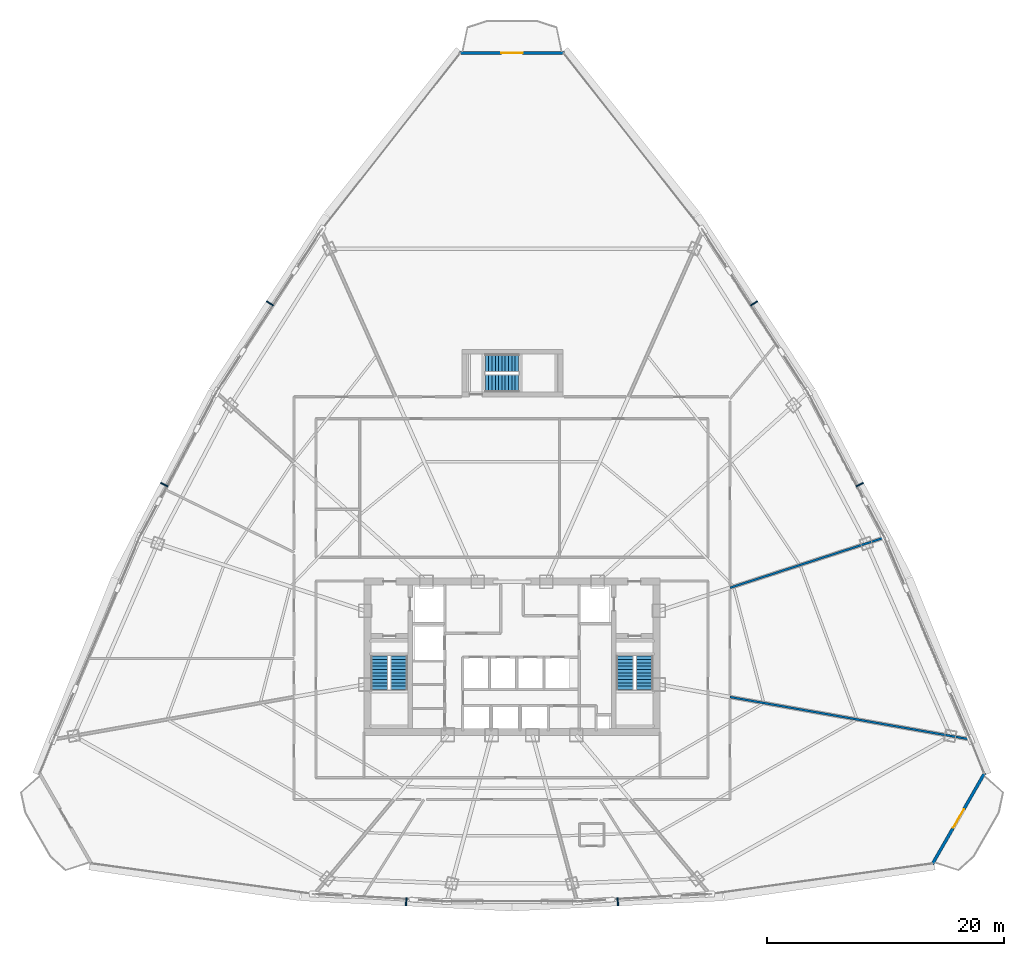
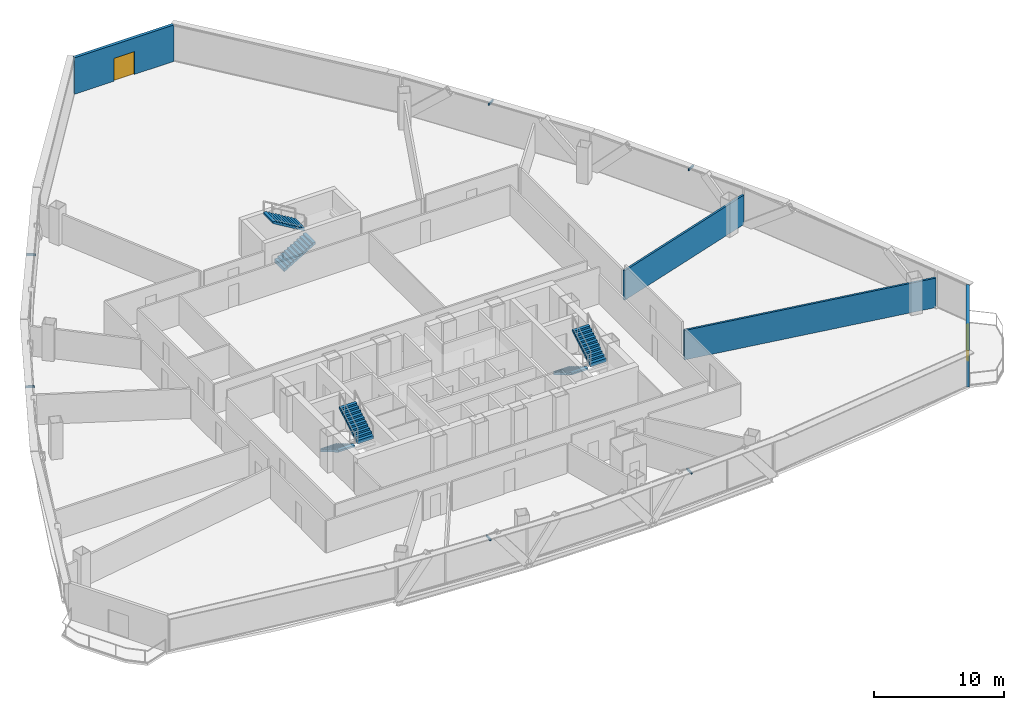
# One storey, part 35 of 39: 6 discrete accessories, 6 stair flights, 4 walls, 2 doors, 2 openings, 3 elements without a shape of their own.
"""IFC4 building model written with IfcOpenShell, lengths in metres."""

from ifc_helpers import new_model, si_unit, direction, frame, frame_2d, origin, origin_with_axes, origin_2d, place, context, subcontext, project, spatial, polyline, rectangle, outline, extrude, source, transform, mapped, material, layer, layer_set, type_object, element, fill, aggregate, save


model = new_model("IFC4")

# Units and contexts
model_context = context("Model", 3, precision=1e-05, world=origin(), true_north=direction((0.0, 1.0)))
body_context = subcontext(model_context, "Body", "Model", "MODEL_VIEW")
ifc_project = project(units=[si_unit("LENGTHUNIT", "METRE"), si_unit("AREAUNIT", "SQUARE_METRE"), si_unit("VOLUMEUNIT", "CUBIC_METRE"), si_unit("PLANEANGLEUNIT", "RADIAN"), si_unit("MASSUNIT", "GRAM", prefix="KILO"), si_unit("THERMODYNAMICTEMPERATUREUNIT", "KELVIN"), si_unit("POWERUNIT", "WATT")], contexts=[model_context])

# Site, building, storey
site_placement = place(None, origin())
site = spatial("IfcSite", under=ifc_project, at=site_placement, CompositionType="ELEMENT")
building_placement = place(site_placement, origin())
building = spatial("IfcBuilding", under=site, at=building_placement, Name="Yunzhuo Pagoda Commons", CompositionType="ELEMENT")
storey_placement = place(building_placement, frame((0.0, 0.0, 144.550048828125)))
storey = spatial("IfcBuildingStorey", under=building, at=storey_placement, Name="L36", CompositionType="ELEMENT", Elevation=144.550048828125)

# Wall, opening, door
ifc_material_1 = material(Name="Precast concrete C40", Category="concrete")
ifc_layer_1 = layer(ifc_material_1, 0.260009765625)
ifc_layer_set_1 = layer_set([ifc_layer_1], Name="Precast concrete C40")
wall_type_1 = type_object("IfcWallType", Name="W-BAL1 Corner Balcony Threshold Wall 260", PredefinedType="STANDARD", material=ifc_layer_set_1)
wall_1_placement = place(storey_placement, frame((83.48779296875, 16.356201171875, 0.0), z_axis=(0.0, 0.0, 1.0), x_axis=(0.497915888941, 0.867225326856, 0.0)))
wall_1 = element("IfcWall", 1, at=wall_1_placement, inside=storey, type_object=wall_type_1, Name="L36 corner balcony wall V2", PredefinedType="STANDARD", context=body_context, shape_type="SweptSolid", body=[
    extrude(rectangle(XDim=8.857666015625, YDim=0.260009765625, at=frame_2d((4.4287109375, 0.0))), origin(), (0.0, 0.0, 1.0), 3.419921875),
])
opening_1_placement = place(wall_1_placement, frame((3.52880859375, 0.0, 0.0)))
opening_1 = element("IfcOpeningElement", 2, at=opening_1_placement, cuts=wall_1, Name="Opening D-BAL1", PredefinedType="OPENING", context=body_context, shape_type="SweptSolid", body=[
    extrude(rectangle(XDim=1.800048828125, YDim=2.14990234375, at=frame_2d((0.89990234375, 1.074951171875))), frame((0.0, 0.14013671875, 0.0), z_axis=(0.0, -1.0, 0.0), x_axis=(1.0, 0.0, 0.0)), (0.0, 0.0, 1.0), 0.280029296875),
])
ifc_material_2 = material(Name="Anodized aluminium frame and tempered glazed leaf", Category="aluminium")
door_type = type_object("IfcDoorType", Name="D-BAL1 Corner Balcony Sliding Glazed Door 1800x2150", OperationType="DOUBLE_DOOR_SLIDING", PredefinedType="DOOR", material=ifc_material_2)
shared_shape_1 = source(origin(), body_context, "Body", "SweptSolid", [
    extrude(rectangle(XDim=1.800048828125, YDim=2.14990234375, at=frame_2d((0.89990234375, 1.074951171875))), frame((0.0, 0.02490234375, 0.0), z_axis=(0.0, -1.0, 0.0), x_axis=(1.0, 0.0, 0.0)), (0.0, 0.0, 1.0), 0.050048828125),
])
door_1_placement = place(opening_1_placement, origin_with_axes())
door_1 = element("IfcDoor", 3, at=door_1_placement, inside=storey, type_object=door_type, Name="L36 corner balcony sliding door V2", OperationType="DOUBLE_DOOR_SLIDING", OverallHeight=2.14990234375, OverallWidth=1.800048828125, PredefinedType="DOOR", context=body_context, shape_type="MappedRepresentation", body=[
    mapped(shared_shape_1, transform((0.0, 0.0, 0.0), scale=1.0)),
])
fill(opening_1, door_1)

wall_2_placement = place(storey_placement, frame((52.4111328125, 84.828369140625, 0.0), z_axis=(0.0, 0.0, 1.0), x_axis=(-1.0, 0.0, 0.0)))
wall_2 = element("IfcWall", 4, at=wall_2_placement, inside=storey, type_object=wall_type_1, Name="L36 corner balcony wall V3", PredefinedType="STANDARD", context=body_context, shape_type="SweptSolid", body=[
    extrude(rectangle(XDim=8.822265625, YDim=0.260009765625, at=frame_2d((4.4111328125, 0.0))), origin(), (0.0, 0.0, 1.0), 3.419921875),
])
opening_2_placement = place(wall_2_placement, frame((3.510986328125, 0.0, 0.0)))
opening_2 = element("IfcOpeningElement", 5, at=opening_2_placement, cuts=wall_2, Name="Opening D-BAL1", PredefinedType="OPENING", context=body_context, shape_type="SweptSolid", body=[
    extrude(rectangle(XDim=1.800048828125, YDim=2.14990234375, at=frame_2d((0.89990234375, 1.074951171875))), frame((0.0, 0.14013671875, 0.0), z_axis=(0.0, -1.0, 0.0), x_axis=(1.0, 0.0, 0.0)), (0.0, 0.0, 1.0), 0.280029296875),
])
door_2_placement = place(opening_2_placement, origin_with_axes())
door_2 = element("IfcDoor", 6, at=door_2_placement, inside=storey, type_object=door_type, Name="L36 corner balcony sliding door V3", OperationType="DOUBLE_DOOR_SLIDING", OverallHeight=2.14990234375, OverallWidth=1.800048828125, PredefinedType="DOOR", context=body_context, shape_type="MappedRepresentation", body=[
    mapped(shared_shape_1, transform((0.0, 0.0, 0.0), scale=1.0)),
])
fill(opening_2, door_2)

# Walls
ifc_material_3 = material(Name="Gypsum plasterboard on acoustic stud")
ifc_layer_2 = layer(ifc_material_3, 0.175048828125)
ifc_layer_set_2 = layer_set([ifc_layer_2], Name="Gypsum plasterboard on acoustic stud")
wall_type_2 = type_object("IfcWallType", Name="W-PRT3 Mid-Zone Demising Wall 175", PredefinedType="PARTITIONING", material=ifc_layer_set_2)
wall_3_placement = place(storey_placement, frame((66.39990234375, 39.678466796875, 0.0), z_axis=(0.0, 0.0, 1.0), x_axis=(0.951057598357, 0.309013664112, 0.0)))
element("IfcWall", 7, at=wall_3_placement, inside=storey, type_object=wall_type_2, Name="L36 interior wall IW-L36-RAD01", PredefinedType="PARTITIONING", context=body_context, shape_type="SweptSolid", body=[
    extrude(rectangle(XDim=13.723388671875, YDim=0.175048828125, at=frame_2d((6.86181640625, 0.0))), origin(), (0.0, 0.0, 1.0), 2.77001953125),
])
wall_4_placement = place(storey_placement, frame((66.39990234375, 30.45556640625, 0.0), z_axis=(0.0, 0.0, 1.0), x_axis=(0.984807623882, -0.173648909998, 0.0)))
element("IfcWall", 8, at=wall_4_placement, inside=storey, type_object=wall_type_2, Name="L36 interior wall IW-L36-RAD14", PredefinedType="PARTITIONING", context=body_context, shape_type="SweptSolid", body=[
    extrude(rectangle(XDim=20.622314453125, YDim=0.175048828125, at=frame_2d((10.31103515625, 0.0))), origin(), (0.0, 0.0, 1.0), 2.77001953125),
])

# Stair, stair flights
ifc_material_4 = material(Name="Concrete C40", Category="concrete")
stair_type_1 = type_object("IfcStairType", Name="ST-C1 Core Smokeproof Stair ST1", PredefinedType="HALF_TURN_STAIR", material=ifc_material_4)
stair_1_placement = place(storey_placement, origin())
stair_1 = element("IfcStair", 9, at=stair_1_placement, inside=storey, type_object=stair_type_1, Name="L36 Core smokeproof stair ST1", PredefinedType="HALF_TURN_STAIR")
stair_flight_type_1 = type_object("IfcStairFlightType", Name="STF-C1 Core Stair Flight 1450", PredefinedType="STRAIGHT", material=ifc_material_4)
shared_shape_2 = source(origin(), body_context, "Body", "SweptSolid", [
    extrude(outline(polyline([(0.0, -0.14990234375), (0.0, 0.0), (0.0, 0.167236328125), (0.280029296875, 0.167236328125), (0.280029296875, 0.33447265625), (0.56005859375, 0.33447265625), (0.56005859375, 0.501708984375), (0.840087890625, 0.501708984375), (0.840087890625, 0.669189453125), (1.1201171875, 0.669189453125), (1.1201171875, 0.83642578125), (1.39990234375, 0.83642578125), (1.39990234375, 1.003662109375), (1.679931640625, 1.003662109375), (1.679931640625, 1.1708984375), (1.9599609375, 1.1708984375), (1.9599609375, 1.338134765625), (2.239990234375, 1.338134765625), (2.239990234375, 1.50537109375), (2.52001953125, 1.50537109375), (2.52001953125, 1.672607421875), (2.800048828125, 1.672607421875), (2.800048828125, 1.840087890625), (2.800048828125, 1.498046875), (0.292236328125, 0.0), (0.050048828125, -0.14990234375), (0.0, -0.14990234375)])), frame((0.0, 0.72509765625, 0.0), z_axis=(0.0, -1.0, 0.0), x_axis=(1.0, 0.0, 0.0)), (0.0, 0.0, 1.0), 1.449951171875),
])
stair_flight_1_placement = place(storey_placement, frame((36.824951171875, 33.89990234375, 0.0), z_axis=(0.0, 0.0, 1.0), x_axis=(0.0, -1.0, 0.0)))
stair_flight_1 = element("IfcStairFlight", 10, at=stair_flight_1_placement, type_object=stair_flight_type_1, Name="ST1 flight 1", NumberOfRisers=11, NumberOfTreads=10, PredefinedType="STRAIGHT", RiserHeight=0.167272727, TreadLength=0.28, context=body_context, shape_type="MappedRepresentation", body=[
    mapped(shared_shape_2, transform((0.0, 0.0, 0.0), scale=1.0)),
])
stair_flight_2_placement = place(storey_placement, frame((38.47509765625, 31.10009765625, 1.83984375), z_axis=(0.0, 0.0, 1.0), x_axis=(0.0, 1.0, 0.0)))
stair_flight_2 = element("IfcStairFlight", 11, at=stair_flight_2_placement, type_object=stair_flight_type_1, Name="ST1 flight 2", NumberOfRisers=11, NumberOfTreads=10, PredefinedType="STRAIGHT", RiserHeight=0.167272727, TreadLength=0.28, context=body_context, shape_type="MappedRepresentation", body=[
    mapped(shared_shape_2, transform((0.0, 0.0, 0.0), scale=1.0)),
])
aggregate(stair_1, [stair_flight_1, stair_flight_2])

stair_type_2 = type_object("IfcStairType", Name="ST-C2 Core Smokeproof Stair ST2", PredefinedType="HALF_TURN_STAIR", material=ifc_material_4)
stair_2_placement = place(storey_placement, origin())
stair_2 = element("IfcStair", 12, at=stair_2_placement, inside=storey, type_object=stair_type_2, Name="L36 Core smokeproof stair ST2", PredefinedType="HALF_TURN_STAIR")
stair_flight_type_2 = type_object("IfcStairFlightType", Name="STF-C2 Core Stair Flight 1460", PredefinedType="STRAIGHT", material=ifc_material_4)
stair_flight_3_placement = place(storey_placement, frame((57.52490234375, 33.89990234375, 0.0), z_axis=(0.0, 0.0, 1.0), x_axis=(0.0, -1.0, 0.0)))
stair_flight_3 = element("IfcStairFlight", 13, at=stair_flight_3_placement, type_object=stair_flight_type_2, Name="ST2 flight 1", NumberOfRisers=11, NumberOfTreads=10, PredefinedType="STRAIGHT", RiserHeight=0.167272727, TreadLength=0.28, context=body_context, shape_type="MappedRepresentation", body=[
    mapped(shared_shape_2, transform((0.0, 0.0, 0.0), scale=1.0)),
])
stair_flight_4_placement = place(storey_placement, frame((59.175048828125, 31.10009765625, 1.83984375), z_axis=(0.0, 0.0, 1.0), x_axis=(0.0, 1.0, 0.0)))
stair_flight_4 = element("IfcStairFlight", 14, at=stair_flight_4_placement, type_object=stair_flight_type_2, Name="ST2 flight 2", NumberOfRisers=11, NumberOfTreads=10, PredefinedType="STRAIGHT", RiserHeight=0.167272727, TreadLength=0.28, context=body_context, shape_type="MappedRepresentation", body=[
    mapped(shared_shape_2, transform((0.0, 0.0, 0.0), scale=1.0)),
])
aggregate(stair_2, [stair_flight_3, stair_flight_4])

stair_type_3 = type_object("IfcStairType", Name="ST-C3 North Tower Smokeproof Stair ST3", PredefinedType="HALF_TURN_STAIR", material=ifc_material_4)
stair_3_placement = place(storey_placement, origin())
stair_3 = element("IfcStair", 15, at=stair_3_placement, inside=storey, type_object=stair_type_3, Name="L36 North tower smokeproof stair ST3", PredefinedType="HALF_TURN_STAIR")
stair_flight_type_3 = type_object("IfcStairFlightType", Name="STF-C3 North Stair Flight 1500", PredefinedType="STRAIGHT", material=ifc_material_4)
shared_shape_3 = source(origin(), body_context, "Body", "SweptSolid", [
    extrude(outline(polyline([(0.0, -0.14990234375), (0.0, 0.0), (0.0, 0.167236328125), (0.280029296875, 0.167236328125), (0.280029296875, 0.33447265625), (0.56005859375, 0.33447265625), (0.56005859375, 0.501708984375), (0.840087890625, 0.501708984375), (0.840087890625, 0.669189453125), (1.1201171875, 0.669189453125), (1.1201171875, 0.83642578125), (1.39990234375, 0.83642578125), (1.39990234375, 1.003662109375), (1.679931640625, 1.003662109375), (1.679931640625, 1.1708984375), (1.9599609375, 1.1708984375), (1.9599609375, 1.338134765625), (2.239990234375, 1.338134765625), (2.239990234375, 1.50537109375), (2.52001953125, 1.50537109375), (2.52001953125, 1.672607421875), (2.800048828125, 1.672607421875), (2.800048828125, 1.840087890625), (2.800048828125, 1.498046875), (0.292236328125, 0.0), (0.050048828125, -0.14990234375), (0.0, -0.14990234375)])), frame((0.0, 0.75, 0.0), z_axis=(0.0, -1.0, 0.0), x_axis=(1.0, 0.0, 0.0)), (0.0, 0.0, 1.0), 1.5),
])
stair_flight_5_placement = place(storey_placement, frame((45.75, 56.949951171875, 0.0), z_axis=(0.0, 0.0, 1.0), x_axis=(1.0, 0.0, 0.0)))
stair_flight_5 = element("IfcStairFlight", 16, at=stair_flight_5_placement, type_object=stair_flight_type_3, Name="ST3 flight 1", NumberOfRisers=11, NumberOfTreads=10, PredefinedType="STRAIGHT", RiserHeight=0.167272727, TreadLength=0.28, context=body_context, shape_type="MappedRepresentation", body=[
    mapped(shared_shape_3, transform((0.0, 0.0, 0.0), scale=1.0)),
])
stair_flight_6_placement = place(storey_placement, frame((48.550048828125, 58.64990234375, 1.83984375), z_axis=(0.0, 0.0, 1.0), x_axis=(-1.0, 0.0, 0.0)))
stair_flight_6 = element("IfcStairFlight", 17, at=stair_flight_6_placement, type_object=stair_flight_type_3, Name="ST3 flight 2", NumberOfRisers=11, NumberOfTreads=10, PredefinedType="STRAIGHT", RiserHeight=0.167272727, TreadLength=0.28, context=body_context, shape_type="MappedRepresentation", body=[
    mapped(shared_shape_3, transform((0.0, 0.0, 0.0), scale=1.0)),
])
aggregate(stair_3, [stair_flight_5, stair_flight_6])

# Discrete accessories
ifc_material_5 = material(Name="Anodized aluminium 6063-T6", Category="aluminium")
discrete_accessory_type = type_object("IfcDiscreteAccessoryType", Name="BK-SUN1 Sunshade Outrigger Bracket", PredefinedType="BRACKET", material=ifc_material_5)
shared_shape_4 = source(origin(), body_context, "Body", "SweptSolid", [
    extrude(rectangle(XDim=0.1201171875, YDim=0.679931640625, at=origin_2d()), origin(), (0.0, 0.0, 1.0), 0.179931640625),
])
for number, where, z_axis, x_axis, name in (
    (18, (39.071533203125, 13.183837890625, 3.2099609375), (0.0, 0.0, 1.0), (0.998818043775, -0.04860571396, 0.0), "L36 sunshade outrigger bracket F1.2"),
    (19, (56.928466796875, 13.183837890625, 3.2099609375), (0.0, 0.0, 1.0), (0.998818043775, 0.04860571396, 0.0), "L36 sunshade outrigger bracket F1.3"),
    (20, (77.359130859375, 48.385009765625, 3.2099609375), (0.0, 0.0, 1.0), (-0.461206683033, 0.88729273384, 0.0), "L36 sunshade outrigger bracket F2.2"),
    (21, (68.4306640625, 63.680908203125, 3.2099609375), (0.0, 0.0, 1.0), (-0.545853380833, 0.837880711458, 0.0), "L36 sunshade outrigger bracket F2.3"),
    (22, (27.5693359375, 63.680908203125, 3.2099609375), (0.0, 0.0, 1.0), (-0.545853380833, -0.837880711458, 0.0), "L36 sunshade outrigger bracket F3.2"),
    (23, (18.640869140625, 48.385009765625, 3.2099609375), (0.0, 0.0, 1.0), (-0.461206683033, -0.88729273384, 0.0), "L36 sunshade outrigger bracket F3.3"),
):
    element("IfcDiscreteAccessory", number, at=place(storey_placement, frame(where, z_axis=z_axis, x_axis=x_axis)), inside=storey, type_object=discrete_accessory_type, Name=name, PredefinedType="BRACKET", context=body_context, shape_type="MappedRepresentation", body=[
        mapped(shared_shape_4, transform((0.0, 0.0, 0.0), scale=1.0)),
    ])

save(model, "model.ifc")
